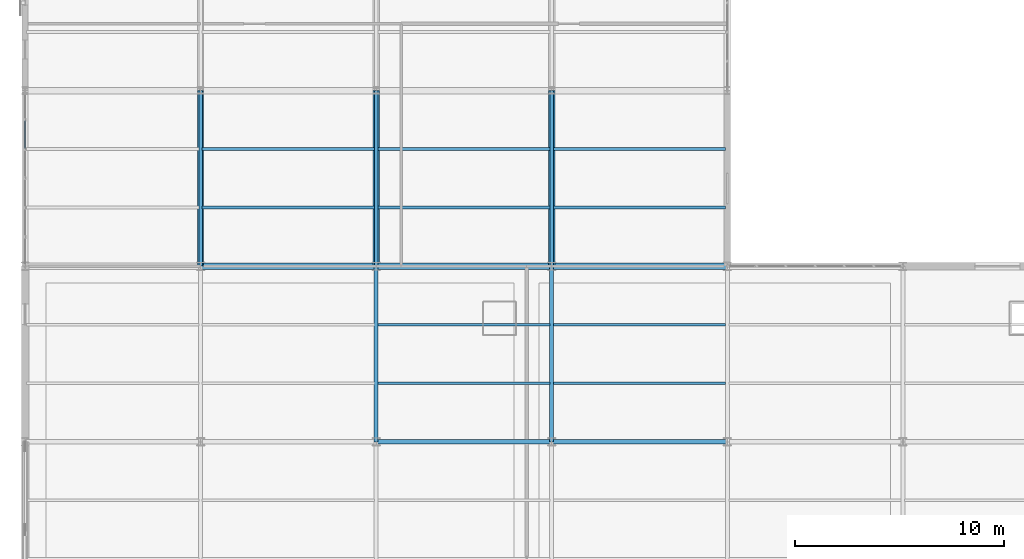
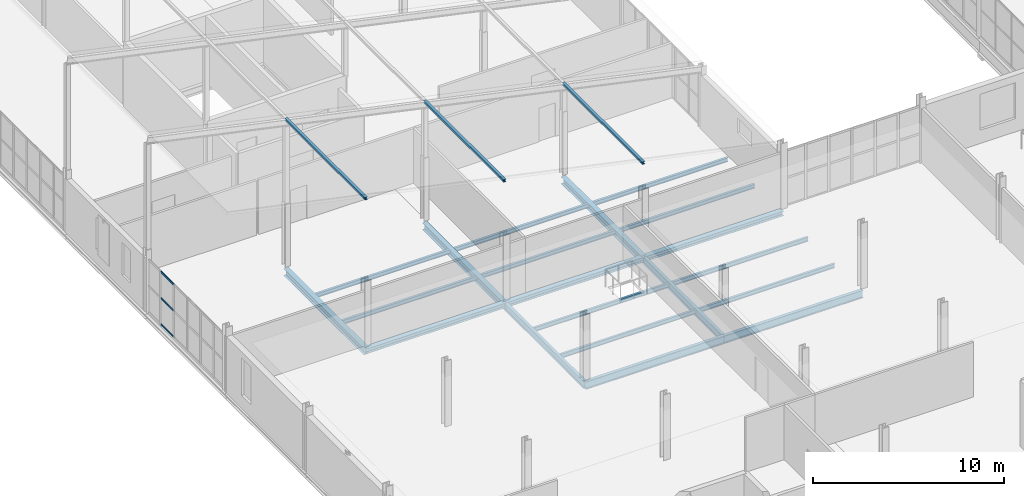
# One storey, part 48 of 184: 20 beams, 6 members, 1 element without a shape of its own.
"""IFC4 building model written with IfcOpenShell, lengths in metres."""

from ifc_helpers import new_model, si_unit, direction, frame, origin, origin_2d, place, context, subcontext, project, spatial, hollow_rectangle, i_section, extrude, material, layer, layer_set, material_profile, profile_set, type_object, element, aggregate, save


model = new_model("IFC4")

# Units and contexts
model_context = context("Model", 3, precision=1e-05, world=origin(), true_north=direction((0.0, 1.0)))
body_context = subcontext(model_context, "Body", "Model", "MODEL_VIEW")
ifc_project = project(units=[si_unit("LENGTHUNIT", "METRE"), si_unit("AREAUNIT", "SQUARE_METRE"), si_unit("VOLUMEUNIT", "CUBIC_METRE"), si_unit("PLANEANGLEUNIT", "RADIAN"), si_unit("MASSUNIT", "GRAM", prefix="KILO")], contexts=[model_context])

# Site, building, storey
site_placement = place(None, origin())
site = spatial("IfcSite", under=ifc_project, at=site_placement, CompositionType="ELEMENT")
building_placement = place(site_placement, origin())
building = spatial("IfcBuilding", under=site, at=building_placement, Name="Qalvenar Corner Mobility Hub", CompositionType="ELEMENT")
storey_placement = place(building_placement, frame((0.0, 0.0, 9.0)))
storey = spatial("IfcBuildingStorey", under=building, at=storey_placement, Name="L02", CompositionType="ELEMENT", Elevation=9.0)

# Beams
ifc_material_1 = material(Name="Steel S355", Category="steel")
ifc_material_profile_1 = material_profile(ifc_material_1, i_section(OverallWidth=0.300048828125, OverallDepth=0.43994140625, WebThickness=0.011474609375, FlangeThickness=0.02099609375, FilletRadius=0.027099609375, at=origin_2d()), Name="HEA450")
ifc_profile_set_1 = profile_set([ifc_material_profile_1], Name="Steel S355")
beam_type_1 = type_object("IfcBeamType", Name="BM-HEA450", PredefinedType="BEAM", material=ifc_profile_set_1)
for number, where, z_axis, x_axis, name in (
    (1, (8.39990234375, 42.0, -0.39990234375), (0.0, 1.0, 0.0), (-1.0, 0.0, 0.0), "Primary Steel Girder GY-1844"),
    (2, (16.800048828125, 42.0, -0.39990234375), (0.0, 1.0, 0.0), (-1.0, 0.0, 0.0), "Primary Steel Girder GY-1849"),
    (3, (25.199951171875, 42.0, -0.39990234375), (0.0, 1.0, 0.0), (-1.0, 0.0, 0.0), "Primary Steel Girder GY-1854"),
):
    element("IfcBeam", number, at=place(storey_placement, frame(where, z_axis=z_axis, x_axis=x_axis)), inside=storey, type_object=beam_type_1, Name=name, PredefinedType="BEAM", context=body_context, shape_type="SweptSolid", body=[
        extrude(i_section(OverallWidth=0.300048828125, OverallDepth=0.43994140625, WebThickness=0.011474609375, FlangeThickness=0.02099609375, FilletRadius=0.027099609375, at=origin_2d()), origin(), (0.0, 0.0, 1.0), 8.39990234375),
    ])
ifc_material_profile_2 = material_profile(ifc_material_1, i_section(OverallWidth=0.18994140625, OverallDepth=0.449951171875, WebThickness=0.009521484375, FlangeThickness=0.0146484375, FilletRadius=0.02099609375, at=origin_2d()), Name="IPE450")
ifc_profile_set_2 = profile_set([ifc_material_profile_2], Name="Steel S355")
beam_type_2 = type_object("IfcBeamType", Name="BM-IPE450", PredefinedType="BEAM", material=ifc_profile_set_2)
for number, where, z_axis, x_axis, name in (
    (4, (16.800048828125, 33.60009765625, -0.405029296875), (0.0, 1.0, 0.0), (-1.0, 0.0, 0.0), "Primary Steel Girder GY-1591"),
    (5, (25.199951171875, 33.60009765625, -0.405029296875), (0.0, 1.0, 0.0), (-1.0, 0.0, 0.0), "Primary Steel Girder GY-1596"),
):
    element("IfcBeam", number, at=place(storey_placement, frame(where, z_axis=z_axis, x_axis=x_axis)), inside=storey, type_object=beam_type_2, Name=name, PredefinedType="BEAM", context=body_context, shape_type="SweptSolid", body=[
        extrude(i_section(OverallWidth=0.18994140625, OverallDepth=0.449951171875, WebThickness=0.009521484375, FlangeThickness=0.0146484375, FilletRadius=0.02099609375, at=origin_2d()), origin(), (0.0, 0.0, 1.0), 8.39990234375),
    ])
ifc_material_profile_3 = material_profile(ifc_material_1, i_section(OverallWidth=0.199951171875, OverallDepth=0.5, WebThickness=0.01025390625, FlangeThickness=0.01611328125, FilletRadius=0.02099609375, at=origin_2d()), Name="IPE500")
ifc_profile_set_3 = profile_set([ifc_material_profile_3], Name="Steel S355")
beam_type_3 = type_object("IfcBeamType", Name="BM-IPE500", PredefinedType="BEAM", material=ifc_profile_set_3)
beam_1_placement = place(storey_placement, frame((16.800048828125, 33.60009765625, -0.429931640625), z_axis=(1.0, 0.0, 0.0), x_axis=(0.0, 1.0, 0.0)))
element("IfcBeam", 6, at=beam_1_placement, inside=storey, type_object=beam_type_3, Name="Primary Steel Girder GX-1567", PredefinedType="BEAM", context=body_context, shape_type="SweptSolid", body=[
    extrude(i_section(OverallWidth=0.199951171875, OverallDepth=0.5, WebThickness=0.01025390625, FlangeThickness=0.01611328125, FilletRadius=0.02099609375, at=origin_2d()), origin(), (0.0, 0.0, 1.0), 8.39990234375),
])
beam_2_placement = place(storey_placement, frame((25.199951171875, 33.60009765625, -0.429931640625), z_axis=(1.0, 0.0, 0.0), x_axis=(0.0, 1.0, 0.0)))
element("IfcBeam", 7, at=beam_2_placement, inside=storey, type_object=beam_type_3, Name="Primary Steel Girder GX-1568", PredefinedType="BEAM", context=body_context, shape_type="SweptSolid", body=[
    extrude(i_section(OverallWidth=0.199951171875, OverallDepth=0.5, WebThickness=0.01025390625, FlangeThickness=0.01611328125, FilletRadius=0.02099609375, at=origin_2d()), origin(), (0.0, 0.0, 1.0), 8.400146484375),
])
ifc_material_profile_4 = material_profile(ifc_material_1, i_section(OverallWidth=0.14599609375, OverallDepth=0.258056640625, WebThickness=0.006103515625, FlangeThickness=0.009033203125, FilletRadius=0.011962890625, at=origin_2d()), Name="W250x32.7")
ifc_profile_set_4 = profile_set([ifc_material_profile_4], Name="Steel S355")
beam_type_4 = type_object("IfcBeamType", Name="BM-JST250", PredefinedType="JOIST", material=ifc_profile_set_4)
for number, where, z_axis, x_axis, name in (
    (8, (8.47802734375, 44.800048828125, -0.30908203125), (1.0, 0.0, 0.0), (0.0, 1.0, 0.0), "Composite Floor Joist J-1874"),
    (9, (8.47802734375, 47.60009765625, -0.30908203125), (1.0, 0.0, 0.0), (0.0, 1.0, 0.0), "Composite Floor Joist J-1875"),
):
    element("IfcBeam", number, at=place(storey_placement, frame(where, z_axis=z_axis, x_axis=x_axis)), inside=storey, type_object=beam_type_4, Name=name, PredefinedType="JOIST", context=body_context, shape_type="SweptSolid", body=[
        extrude(i_section(OverallWidth=0.14599609375, OverallDepth=0.258056640625, WebThickness=0.006103515625, FlangeThickness=0.009033203125, FilletRadius=0.011962890625, at=origin_2d()), origin(), (0.0, 0.0, 1.0), 8.243896484375),
    ])
for number, where, z_axis, x_axis, name in (
    (10, (16.8779296875, 44.800048828125, -0.30908203125), (1.0, 0.0, 0.0), (0.0, 1.0, 0.0), "Composite Floor Joist J-1882"),
    (11, (16.8779296875, 47.60009765625, -0.30908203125), (1.0, 0.0, 0.0), (0.0, 1.0, 0.0), "Composite Floor Joist J-1883"),
):
    element("IfcBeam", number, at=place(storey_placement, frame(where, z_axis=z_axis, x_axis=x_axis)), inside=storey, type_object=beam_type_4, Name=name, PredefinedType="JOIST", context=body_context, shape_type="SweptSolid", body=[
        extrude(i_section(OverallWidth=0.14599609375, OverallDepth=0.258056640625, WebThickness=0.006103515625, FlangeThickness=0.009033203125, FilletRadius=0.011962890625, at=origin_2d()), origin(), (0.0, 0.0, 1.0), 8.244140625),
    ])
for number, where, z_axis, x_axis, name in (
    (12, (25.278076171875, 44.800048828125, -0.30908203125), (1.0, 0.0, 0.0), (0.0, 1.0, 0.0), "Composite Floor Joist J-1892"),
    (13, (25.278076171875, 47.60009765625, -0.30908203125), (1.0, 0.0, 0.0), (0.0, 1.0, 0.0), "Composite Floor Joist J-1893"),
):
    element("IfcBeam", number, at=place(storey_placement, frame(where, z_axis=z_axis, x_axis=x_axis)), inside=storey, type_object=beam_type_4, Name=name, PredefinedType="JOIST", context=body_context, shape_type="SweptSolid", body=[
        extrude(i_section(OverallWidth=0.14599609375, OverallDepth=0.258056640625, WebThickness=0.006103515625, FlangeThickness=0.009033203125, FilletRadius=0.011962890625, at=origin_2d()), origin(), (0.0, 0.0, 1.0), 8.243896484375),
    ])
ifc_material_profile_5 = material_profile(ifc_material_1, i_section(OverallWidth=0.135009765625, OverallDepth=0.27001953125, WebThickness=0.006591796875, FlangeThickness=0.01025390625, FilletRadius=0.014892578125, at=origin_2d()), Name="IPE270")
ifc_profile_set_5 = profile_set([ifc_material_profile_5], Name="Steel S355")
beam_type_5 = type_object("IfcBeamType", Name="BM-JST270", PredefinedType="JOIST", material=ifc_profile_set_5)
for number, where, z_axis, x_axis, name in (
    (14, (16.8779296875, 36.39990234375, -0.31494140625), (1.0, 0.0, 0.0), (0.0, 1.0, 0.0), "Composite Floor Joist J-1639"),
    (15, (16.8779296875, 39.199951171875, -0.31494140625), (1.0, 0.0, 0.0), (0.0, 1.0, 0.0), "Composite Floor Joist J-1640"),
):
    element("IfcBeam", number, at=place(storey_placement, frame(where, z_axis=z_axis, x_axis=x_axis)), inside=storey, type_object=beam_type_5, Name=name, PredefinedType="JOIST", context=body_context, shape_type="SweptSolid", body=[
        extrude(i_section(OverallWidth=0.135009765625, OverallDepth=0.27001953125, WebThickness=0.006591796875, FlangeThickness=0.01025390625, FilletRadius=0.014892578125, at=origin_2d()), origin(), (0.0, 0.0, 1.0), 8.244140625),
    ])
for number, where, z_axis, x_axis, name in (
    (16, (25.278076171875, 36.39990234375, -0.31494140625), (1.0, 0.0, 0.0), (0.0, 1.0, 0.0), "Composite Floor Joist J-1649"),
    (17, (25.278076171875, 39.199951171875, -0.31494140625), (1.0, 0.0, 0.0), (0.0, 1.0, 0.0), "Composite Floor Joist J-1650"),
):
    element("IfcBeam", number, at=place(storey_placement, frame(where, z_axis=z_axis, x_axis=x_axis)), inside=storey, type_object=beam_type_5, Name=name, PredefinedType="JOIST", context=body_context, shape_type="SweptSolid", body=[
        extrude(i_section(OverallWidth=0.135009765625, OverallDepth=0.27001953125, WebThickness=0.006591796875, FlangeThickness=0.01025390625, FilletRadius=0.014892578125, at=origin_2d()), origin(), (0.0, 0.0, 1.0), 8.243896484375),
    ])
ifc_material_profile_6 = material_profile(ifc_material_1, i_section(OverallWidth=0.300048828125, OverallDepth=0.31005859375, WebThickness=0.009033203125, FlangeThickness=0.015380859375, FilletRadius=0.027099609375, at=origin_2d()), Name="HEA320")
ifc_profile_set_6 = profile_set([ifc_material_profile_6], Name="Steel S355")
beam_type_6 = type_object("IfcBeamType", Name="BM-SPN320", PredefinedType="SPANDREL", material=ifc_profile_set_6)
beam_3_placement = place(storey_placement, frame((8.39990234375, 42.0, -0.3349609375), z_axis=(1.0, 0.0, 0.0), x_axis=(0.0, 1.0, 0.0)))
element("IfcBeam", 18, at=beam_3_placement, inside=storey, type_object=beam_type_6, Name="Primary Steel Girder GX-1572", PredefinedType="SPANDREL", context=body_context, shape_type="SweptSolid", body=[
    extrude(i_section(OverallWidth=0.300048828125, OverallDepth=0.31005859375, WebThickness=0.009033203125, FlangeThickness=0.015380859375, FilletRadius=0.027099609375, at=origin_2d()), origin(), (0.0, 0.0, 1.0), 8.400146484375),
])
beam_4_placement = place(storey_placement, frame((16.800048828125, 42.0, -0.3349609375), z_axis=(1.0, 0.0, 0.0), x_axis=(0.0, 1.0, 0.0)))
element("IfcBeam", 19, at=beam_4_placement, inside=storey, type_object=beam_type_6, Name="Primary Steel Girder GX-1573", PredefinedType="SPANDREL", context=body_context, shape_type="SweptSolid", body=[
    extrude(i_section(OverallWidth=0.300048828125, OverallDepth=0.31005859375, WebThickness=0.009033203125, FlangeThickness=0.015380859375, FilletRadius=0.027099609375, at=origin_2d()), origin(), (0.0, 0.0, 1.0), 8.39990234375),
])
beam_5_placement = place(storey_placement, frame((25.199951171875, 42.0, -0.3349609375), z_axis=(1.0, 0.0, 0.0), x_axis=(0.0, 1.0, 0.0)))
element("IfcBeam", 20, at=beam_5_placement, inside=storey, type_object=beam_type_6, Name="Primary Steel Girder GX-1574", PredefinedType="SPANDREL", context=body_context, shape_type="SweptSolid", body=[
    extrude(i_section(OverallWidth=0.300048828125, OverallDepth=0.31005859375, WebThickness=0.009033203125, FlangeThickness=0.015380859375, FilletRadius=0.027099609375, at=origin_2d()), origin(), (0.0, 0.0, 1.0), 8.400146484375),
])

# Curtain wall, members
ifc_material_2 = material(Name="Anodised Aluminium and Low-E Glazing", Category="aluminium")
ifc_layer = layer(ifc_material_2, 0.14990234375)
ifc_layer_set = layer_set([ifc_layer], Name="Anodised Aluminium and Low-E Glazing")
curtain_wall_type = type_object("IfcCurtainWallType", Name="CW-CYC-84X39", PredefinedType="NOTDEFINED", material=ifc_layer_set)
curtain_wall_placement = place(storey_placement, origin())
curtain_wall = element("IfcCurtainWall", 21, at=curtain_wall_placement, inside=storey, type_object=curtain_wall_type, Name="Glazed Curtain Wall CW-V5-L02-W0", PredefinedType="NOTDEFINED")
ifc_material_3 = material(Name="Anodised Aluminium 6063-T6", Category="aluminium")
ifc_material_profile_7 = material_profile(ifc_material_3, hollow_rectangle(XDim=0.054931640625, YDim=0.1201171875, WallThickness=0.00341796875, InnerFilletRadius=0.00341796875, OuterFilletRadius=0.007080078125, at=origin_2d()), Name="RHS120x55x3.5")
ifc_profile_set_7 = profile_set([ifc_material_profile_7], Name="Anodised Aluminium 6063-T6")
member_type_1 = type_object("IfcMemberType", Name="CW-TRN120", PredefinedType="USERDEFINED", material=ifc_profile_set_7)
member_1_placement = place(storey_placement, frame((0.0, 48.969970703125, 0.027587890625), z_axis=(0.0, -1.0, 0.0), x_axis=(1.0, 0.0, 0.0)))
member_1 = element("IfcMember", 22, at=member_1_placement, type_object=member_type_1, Name="CW-08 transom 2.1", ObjectType="TRANSOM", PredefinedType="USERDEFINED", context=body_context, shape_type="SweptSolid", body=[
    extrude(hollow_rectangle(XDim=0.054931640625, YDim=0.1201171875, WallThickness=0.00341796875, InnerFilletRadius=0.00341796875, OuterFilletRadius=0.007080078125, at=origin_2d()), origin(), (0.0, 0.0, 1.0), 1.340087890625),
])
member_2_placement = place(storey_placement, frame((0.0, 48.969970703125, 1.705078125), z_axis=(0.0, -1.0, 0.0), x_axis=(1.0, 0.0, 0.0)))
member_2 = element("IfcMember", 23, at=member_2_placement, type_object=member_type_1, Name="CW-08 transom 2.2", ObjectType="TRANSOM", PredefinedType="USERDEFINED", context=body_context, shape_type="SweptSolid", body=[
    extrude(hollow_rectangle(XDim=0.054931640625, YDim=0.1201171875, WallThickness=0.00341796875, InnerFilletRadius=0.00341796875, OuterFilletRadius=0.007080078125, at=origin_2d()), origin(), (0.0, 0.0, 1.0), 1.340087890625),
])
member_3_placement = place(storey_placement, frame((0.0, 48.969970703125, 3.382568359375), z_axis=(0.0, -1.0, 0.0), x_axis=(1.0, 0.0, 0.0)))
member_3 = element("IfcMember", 24, at=member_3_placement, type_object=member_type_1, Name="CW-08 transom 2.3", ObjectType="TRANSOM", PredefinedType="USERDEFINED", context=body_context, shape_type="SweptSolid", body=[
    extrude(hollow_rectangle(XDim=0.054931640625, YDim=0.1201171875, WallThickness=0.00341796875, InnerFilletRadius=0.00341796875, OuterFilletRadius=0.007080078125, at=origin_2d()), origin(), (0.0, 0.0, 1.0), 1.340087890625),
])
aggregate(curtain_wall, [member_1, member_2, member_3])

# Members
ifc_material_profile_8 = material_profile(ifc_material_1, i_section(OverallWidth=0.159912109375, OverallDepth=0.159912109375, WebThickness=0.008056640625, FlangeThickness=0.012939453125, FilletRadius=0.014892578125, at=origin_2d()), Name="HEB160")
ifc_profile_set_8 = profile_set([ifc_material_profile_8], Name="Steel S355")
member_type_2 = type_object("IfcMemberType", Name="PR-RHS160", PredefinedType="PURLIN", material=ifc_profile_set_8)
for number, where, z_axis, x_axis, name in (
    (25, (8.39990234375, 42.0, 9.35009765625), (0.0, 1.0, 0.0), (-1.0, 0.0, 0.0), "Bicycle Hall Roof Purlin PR-V5-1-8"),
    (26, (16.800048828125, 42.0, 7.550048828125), (0.0, 1.0, 0.0), (-1.0, 0.0, 0.0), "Bicycle Hall Roof Purlin PR-V5-1-16"),
    (27, (25.199951171875, 42.0, 5.75), (0.0, 1.0, 0.0), (-1.0, 0.0, 0.0), "Bicycle Hall Roof Purlin PR-V5-1-25"),
):
    element("IfcMember", number, at=place(storey_placement, frame(where, z_axis=z_axis, x_axis=x_axis)), inside=storey, type_object=member_type_2, Name=name, PredefinedType="PURLIN", context=body_context, shape_type="SweptSolid", body=[
        extrude(i_section(OverallWidth=0.159912109375, OverallDepth=0.159912109375, WebThickness=0.008056640625, FlangeThickness=0.012939453125, FilletRadius=0.014892578125, at=origin_2d()), origin(), (0.0, 0.0, 1.0), 8.39990234375),
    ])

save(model, "model.ifc")
